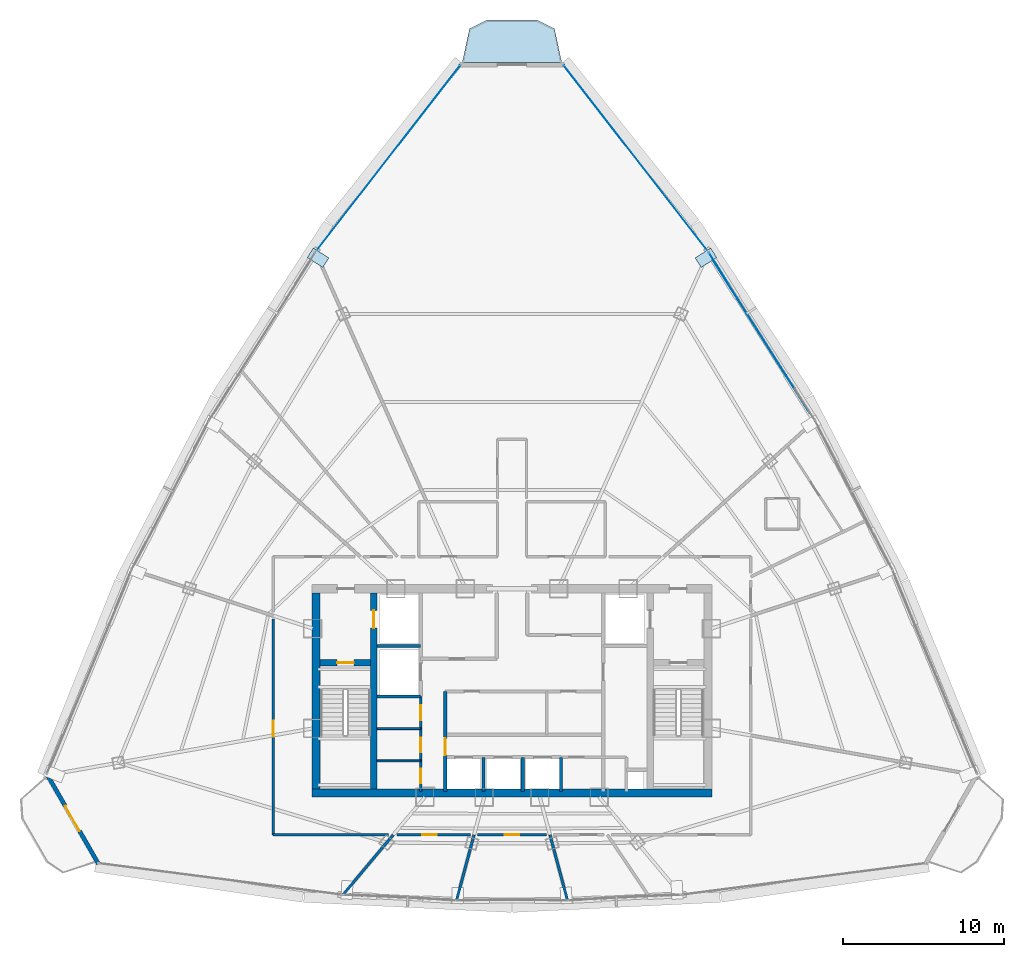
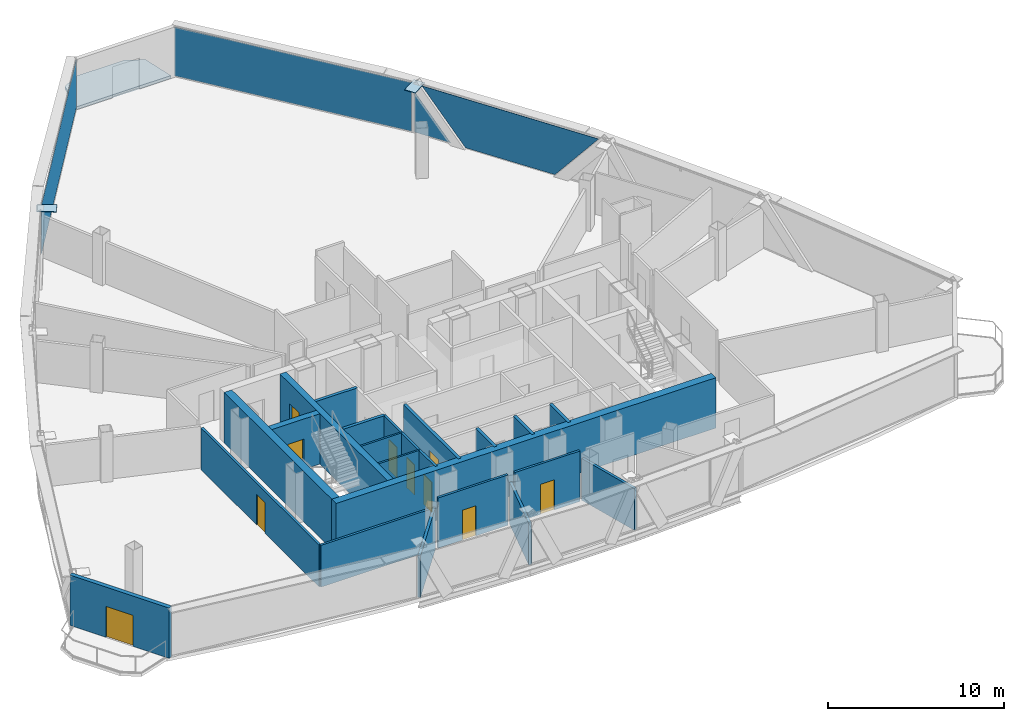
# One storey, part 28 of 34: 21 walls, 10 doors, 6 plates, 1 slab, 10 openings, 3 elements without a shape of their own.
"""IFC4 building model written with IfcOpenShell, lengths in metres."""

from ifc_helpers import new_model, si_unit, direction, frame, frame_2d, origin, origin_with_axes, origin_2d, place, context, subcontext, project, spatial, polyline, rectangle, outline, extrude, source, transform, mapped, material, layer, layer_set, type_object, element, fill, aggregate, save


model = new_model("IFC4")

# Units and contexts
model_context = context("Model", 3, precision=1e-05, world=origin(), true_north=direction((0.0, 1.0)))
body_context = subcontext(model_context, "Body", "Model", "MODEL_VIEW")
ifc_project = project(units=[si_unit("LENGTHUNIT", "METRE"), si_unit("AREAUNIT", "SQUARE_METRE"), si_unit("VOLUMEUNIT", "CUBIC_METRE"), si_unit("PLANEANGLEUNIT", "RADIAN"), si_unit("MASSUNIT", "GRAM", prefix="KILO"), si_unit("THERMODYNAMICTEMPERATUREUNIT", "KELVIN"), si_unit("POWERUNIT", "WATT")], contexts=[model_context])

# Site, building, storey
site_placement = place(None, origin())
site = spatial("IfcSite", under=ifc_project, at=site_placement, CompositionType="ELEMENT")
building_placement = place(site_placement, origin())
building = spatial("IfcBuilding", under=site, at=building_placement, Name="Yunzhuo Pagoda Commons", CompositionType="ELEMENT")
storey_placement = place(building_placement, frame((0.0, 0.0, 333.010009765625)))
storey = spatial("IfcBuildingStorey", under=building, at=storey_placement, Name="L83", CompositionType="ELEMENT", Elevation=333.010009765625)

# Curtain wall, plates
ifc_material_1 = material(Name="Anodized aluminium 6063-T6", Category="aluminium")
ifc_layer_1 = layer(ifc_material_1, 0.139892578125)
ifc_layer_set_1 = layer_set([ifc_layer_1], Name="Anodized aluminium 6063-T6")
curtain_wall_type = type_object("IfcCurtainWallType", Name="CW-HI High-Zone Ribbon Curtain Wall", PredefinedType="NOTDEFINED", material=ifc_layer_set_1)
curtain_wall_1_placement = place(storey_placement, origin())
curtain_wall_1 = element("IfcCurtainWall", 1, at=curtain_wall_1_placement, inside=storey, type_object=curtain_wall_type, Name="L83 curtain wall CW-L83-F2B4", PredefinedType="NOTDEFINED")
ifc_material_2 = material(Name="Tempered low-e double glazing", Category="glass")
ifc_layer_2 = layer(ifc_material_2, 0.02587890625)
ifc_layer_set_2 = layer_set([ifc_layer_2], Name="Tempered low-e double glazing")
plate_type_1 = type_object("IfcPlateType", Name="CW-HI-P Low-E Double Glazing 26", PredefinedType="CURTAIN_PANEL", material=ifc_layer_set_2)
plate_1_placement = place(storey_placement, frame((63.49365234375, 55.88134765625, 1.744873046875), z_axis=(0.845148830397, 0.534531060349, 0.0), x_axis=(-0.534531060349, 0.845148830397, 0.0)))
plate_1 = element("IfcPlate", 2, at=plate_1_placement, type_object=plate_type_1, Name="CW panel 1.1 lite 2", PredefinedType="CURTAIN_PANEL", context=body_context, shape_type="SweptSolid", body=[
    extrude(outline(polyline([(-5.6591796875, 1.68994140625), (-2.8662109375, -1.68994140625), (2.8662109375, -1.68994140625), (5.6591796875, 1.68994140625), (-5.6591796875, 1.68994140625)])), origin(), (0.0, 0.0, 1.0), 0.028076171875),
])
plate_2_placement = place(storey_placement, frame((60.84912109375, 60.11865234375, 1.43798828125), z_axis=(0.845148830397, 0.534531060349, 0.0), x_axis=(-0.534531060349, 0.845148830397, 0.0)))
plate_2 = element("IfcPlate", 3, at=plate_2_placement, type_object=plate_type_1, Name="CW panel 1.1 lite 3", PredefinedType="CURTAIN_PANEL", context=body_context, shape_type="SweptSolid", body=[
    extrude(outline(polyline([(-1.142578125, -1.3828125), (1.142822265625, -1.3828125), (1.142822265625, 1.3828125), (-1.142578125, -1.3828125)])), origin(), (0.0, 0.0, 1.0), 0.028076171875),
])
aggregate(curtain_wall_1, [plate_1, plate_2])

# Slab
ifc_material_3 = material(Name="Concrete C40", Category="concrete")
ifc_layer_3 = layer(ifc_material_3, 0.199951171875)
ifc_layer_set_3 = layer_set([ifc_layer_3], Name="Concrete C40")
slab_type = type_object("IfcSlabType", Name="SL-BAL Vertex Balcony Deck Slab 200", PredefinedType="FLOOR", material=ifc_layer_set_3)
slab_placement = place(storey_placement, frame((0.0, 0.0, -0.199951171875)))
element("IfcSlab", 4, at=slab_placement, inside=storey, type_object=slab_type, Name="L83 corner balcony V3", PredefinedType="FLOOR", context=body_context, shape_type="SweptSolid", body=[
    extrude(outline(polyline([(51.093505859375, 72.918212890625), (44.906494140625, 72.918212890625), (45.3564453125, 75.01318359375), (46.453125, 75.563232421875), (49.546875, 75.563232421875), (50.6435546875, 75.01318359375), (51.093505859375, 72.918212890625)])), origin(), (0.0, 0.0, 1.0), 0.199951171875),
])

# Plates
ifc_material_4 = material(Name="Structural steel Q355B", Category="steel")
ifc_layer_4 = layer(ifc_material_4, 0.028076171875)
ifc_layer_set_4 = layer_set([ifc_layer_4], Name="Structural steel Q355B")
plate_type_2 = type_object("IfcPlateType", Name="SP-ND1 Lattice Node Cap Plate 800x500x28", PredefinedType="USERDEFINED", material=ifc_layer_set_4)
shared_shape_1 = source(origin(), body_context, "Body", "SweptSolid", [
    extrude(rectangle(XDim=0.699951171875, YDim=1.144287109375, at=origin_2d()), origin(), (0.0, 0.0, 1.0), 0.035888671875),
])
for number, where, z_axis, x_axis, name in (
    (5, (60.056640625, 60.77978515625, 3.4521484375), (0.0, 0.0, 1.0), (-0.534529368893, 0.84514990019, 0.0), "L83 setback lattice tie plate F2.3R"),
    (6, (35.943359375, 60.77978515625, 3.4521484375), (0.0, 0.0, 1.0), (-0.534529368893, -0.84514990019, 0.0), "L83 setback lattice tie plate F3.1L"),
):
    element("IfcPlate", number, at=place(storey_placement, frame(where, z_axis=z_axis, x_axis=x_axis)), inside=storey, type_object=plate_type_2, Name=name, ObjectType="STIFFENER_PLATE", PredefinedType="USERDEFINED", context=body_context, shape_type="MappedRepresentation", body=[
        mapped(shared_shape_1, transform((0.0, 0.0, 0.0), scale=1.0)),
    ])

# Curtain wall, plate
curtain_wall_2_placement = place(storey_placement, origin())
curtain_wall_2 = element("IfcCurtainWall", 7, at=curtain_wall_2_placement, inside=storey, type_object=curtain_wall_type, Name="L83 curtain wall CW-L83-F2B5", PredefinedType="NOTDEFINED")
shared_shape_2 = source(origin(), body_context, "Body", "SweptSolid", [
    extrude(rectangle(XDim=14.537353515625, YDim=0.028076171875, at=origin_2d()), origin(), (0.0, 0.0, 1.0), 3.3798828125),
])
plate_3_placement = place(storey_placement, frame((55.680419921875, 66.99267578125, 0.054931640625), z_axis=(0.0, 0.0, 1.0), x_axis=(-0.612917502921, 0.790146906982, 0.0)))
plate_3 = element("IfcPlate", 8, at=plate_3_placement, type_object=plate_type_1, Name="CW panel 1.1", PredefinedType="CURTAIN_PANEL", context=body_context, shape_type="MappedRepresentation", body=[
    mapped(shared_shape_2, transform((0.0, 0.0, 0.0), scale=1.0)),
])
aggregate(curtain_wall_2, [plate_3])

curtain_wall_3_placement = place(storey_placement, origin())
curtain_wall_3 = element("IfcCurtainWall", 9, at=curtain_wall_3_placement, inside=storey, type_object=curtain_wall_type, Name="L83 curtain wall CW-L83-F3B1", PredefinedType="NOTDEFINED")
plate_4_placement = place(storey_placement, frame((40.319580078125, 66.99267578125, 0.054931640625), z_axis=(0.0, 0.0, 1.0), x_axis=(-0.612917502921, -0.790146906982, 0.0)))
plate_4 = element("IfcPlate", 10, at=plate_4_placement, type_object=plate_type_1, Name="CW panel 1.1", PredefinedType="CURTAIN_PANEL", context=body_context, shape_type="MappedRepresentation", body=[
    mapped(shared_shape_2, transform((0.0, 0.0, 0.0), scale=1.0)),
])
aggregate(curtain_wall_3, [plate_4])

# Wall, opening, door
ifc_material_5 = material(Name="Precast concrete C40", Category="concrete")
ifc_layer_5 = layer(ifc_material_5, 0.260009765625)
ifc_layer_set_5 = layer_set([ifc_layer_5], Name="Precast concrete C40")
wall_type_1 = type_object("IfcWallType", Name="W-BAL1 Corner Balcony Threshold Wall 260", PredefinedType="STANDARD", material=ifc_layer_set_5)
wall_1_placement = place(storey_placement, frame((19.044677734375, 28.739013671875, 0.0), z_axis=(0.0, 0.0, 1.0), x_axis=(0.49793434898, -0.867214727796, 0.0)))
wall_1 = element("IfcWall", 11, at=wall_1_placement, inside=storey, type_object=wall_type_1, Name="L83 corner balcony wall V1", PredefinedType="STANDARD", context=body_context, shape_type="SweptSolid", body=[
    extrude(rectangle(XDim=6.5126953125, YDim=0.260009765625, at=frame_2d((3.25634765625, 0.0))), origin(), (0.0, 0.0, 1.0), 3.489990234375),
])
opening_1_placement = place(wall_1_placement, frame((2.3564453125, 0.0, 0.0)))
opening_1 = element("IfcOpeningElement", 12, at=opening_1_placement, cuts=wall_1, Name="Opening D-BAL1", PredefinedType="OPENING", context=body_context, shape_type="SweptSolid", body=[
    extrude(rectangle(XDim=1.800048828125, YDim=2.14990234375, at=frame_2d((0.89990234375, 1.074951171875))), frame((0.0, 0.14013671875, 0.0), z_axis=(0.0, -1.0, 0.0), x_axis=(1.0, 0.0, 0.0)), (0.0, 0.0, 1.0), 0.280029296875),
])
ifc_material_6 = material(Name="Anodized aluminium frame and tempered glazed leaf", Category="aluminium")
door_type_1 = type_object("IfcDoorType", Name="D-BAL1 Corner Balcony Sliding Glazed Door 1800x2150", OperationType="DOUBLE_DOOR_SLIDING", PredefinedType="DOOR", material=ifc_material_6)
shared_shape_3 = source(origin(), body_context, "Body", "SweptSolid", [
    extrude(rectangle(XDim=1.800048828125, YDim=2.14990234375, at=frame_2d((0.89990234375, 1.074951171875))), frame((0.0, 0.02490234375, 0.0), z_axis=(0.0, -1.0, 0.0), x_axis=(1.0, 0.0, 0.0)), (0.0, 0.0, 1.0), 0.050048828125),
])
door_1_placement = place(opening_1_placement, origin_with_axes())
door_1 = element("IfcDoor", 13, at=door_1_placement, inside=storey, type_object=door_type_1, Name="L83 corner balcony sliding door V1", OperationType="DOUBLE_DOOR_SLIDING", OverallHeight=2.14990234375, OverallWidth=1.800048828125, PredefinedType="DOOR", context=body_context, shape_type="MappedRepresentation", body=[
    mapped(shared_shape_3, transform((0.0, 0.0, 0.0), scale=1.0)),
])
fill(opening_1, door_1)

# Walls
ifc_material_7 = material(Name="Concrete C50", Category="concrete")
ifc_layer_6 = layer(ifc_material_7, 0.5)
ifc_layer_set_6 = layer_set([ifc_layer_6], Name="Concrete C50")
wall_type_2 = type_object("IfcWallType", Name="W-C03 Upper Core Shear Wall 500", PredefinedType="SHEAR", material=ifc_layer_set_6)
wall_2_placement = place(storey_placement, frame((35.550048828125, 27.5, 0.0), z_axis=(0.0, 0.0, 1.0), x_axis=(1.0, 0.0, 0.0)))
element("IfcWall", 14, at=wall_2_placement, inside=storey, type_object=wall_type_2, Name="L83 core shear wall S", PredefinedType="SHEAR", context=body_context, shape_type="SweptSolid", body=[
    extrude(rectangle(XDim=24.89990234375, YDim=0.5, at=frame_2d((12.449951171875, 0.0))), origin(), (0.0, 0.0, 1.0), 3.489990234375),
])
wall_3_placement = place(storey_placement, frame((35.800048828125, 27.75, 0.0), z_axis=(0.0, 0.0, 1.0), x_axis=(0.0, 1.0, 0.0)))
element("IfcWall", 15, at=wall_3_placement, inside=storey, type_object=wall_type_2, Name="L83 core shear wall W", PredefinedType="SHEAR", context=body_context, shape_type="SweptSolid", body=[
    extrude(rectangle(XDim=12.199951171875, YDim=0.5, at=frame_2d((6.10009765625, 0.0))), origin(), (0.0, 0.0, 1.0), 3.489990234375),
])

# Wall, openings, doors
ifc_material_8 = material(Name="Gypsum plasterboard on acoustic stud")
ifc_layer_7 = layer(ifc_material_8, 0.14990234375)
ifc_layer_set_7 = layer_set([ifc_layer_7], Name="Gypsum plasterboard on acoustic stud")
wall_type_3 = type_object("IfcWallType", Name="W-COR3 High-Zone Rated Corridor Wall 150", PredefinedType="PARTITIONING", material=ifc_layer_set_7)
wall_4_placement = place(storey_placement, frame((42.320068359375, 27.60009765625, 0.0), z_axis=(0.0, 0.0, 1.0), x_axis=(0.0, 1.0, 0.0)))
wall_4 = element("IfcWall", 16, at=wall_4_placement, inside=storey, type_object=wall_type_3, Name="L83 interior wall IW-L83-CSWE", PredefinedType="PARTITIONING", context=body_context, shape_type="SweptSolid", body=[
    extrude(rectangle(XDim=5.89990234375, YDim=0.14990234375, at=frame_2d((2.949951171875, 0.0))), origin(), (0.0, 0.0, 1.0), 3.489990234375),
])
opening_2_placement = place(wall_4_placement, frame((0.5, 0.0, 0.0)))
opening_2 = element("IfcOpeningElement", 17, at=opening_2_placement, cuts=wall_4, Name="Opening D-03", PredefinedType="OPENING", context=body_context, shape_type="SweptSolid", body=[
    extrude(rectangle(XDim=0.89990234375, YDim=2.10009765625, at=frame_2d((0.449951171875, 1.050048828125))), frame((0.0, 0.0849609375, 0.0), z_axis=(0.0, -1.0, 0.0), x_axis=(1.0, 0.0, 0.0)), (0.0, 0.0, 1.0), 0.169921875),
])
opening_3_placement = place(wall_4_placement, frame((2.449951171875, 0.0, 0.0)))
opening_3 = element("IfcOpeningElement", 18, at=opening_3_placement, cuts=wall_4, Name="Opening D-03", PredefinedType="OPENING", context=body_context, shape_type="SweptSolid", body=[
    extrude(rectangle(XDim=0.89990234375, YDim=2.10009765625, at=frame_2d((0.449951171875, 1.050048828125))), frame((0.0, 0.0849609375, 0.0), z_axis=(0.0, -1.0, 0.0), x_axis=(1.0, 0.0, 0.0)), (0.0, 0.0, 1.0), 0.169921875),
])
opening_4_placement = place(wall_4_placement, frame((4.419921875, 0.0, 0.0)))
opening_4 = element("IfcOpeningElement", 19, at=opening_4_placement, cuts=wall_4, Name="Opening D-11", PredefinedType="OPENING", context=body_context, shape_type="SweptSolid", body=[
    extrude(rectangle(XDim=0.93994140625, YDim=2.10009765625, at=frame_2d((0.469970703125, 1.050048828125))), frame((0.0, 0.0849609375, 0.0), z_axis=(0.0, -1.0, 0.0), x_axis=(1.0, 0.0, 0.0)), (0.0, 0.0, 1.0), 0.169921875),
])
ifc_material_9 = material(Name="Galvanized fire-resisting metal leaf")
door_type_2 = type_object("IfcDoorType", Name="D-03 Core Service Fire Door 900x2100", OperationType="NOTDEFINED", PredefinedType="DOOR", material=ifc_material_9)
shared_shape_4 = source(origin(), body_context, "Body", "SweptSolid", [
    extrude(rectangle(XDim=0.89990234375, YDim=2.10009765625, at=frame_2d((0.449951171875, 1.050048828125))), frame((0.0, 0.02490234375, 0.0), z_axis=(0.0, -1.0, 0.0), x_axis=(1.0, 0.0, 0.0)), (0.0, 0.0, 1.0), 0.050048828125),
])
door_2_placement = place(opening_2_placement, origin_with_axes())
door_2 = element("IfcDoor", 20, at=door_2_placement, inside=storey, type_object=door_type_2, Name="L83 switch door", OperationType="SINGLE_SWING_RIGHT", OverallHeight=2.10009765625, OverallWidth=0.89990234375, PredefinedType="DOOR", context=body_context, shape_type="MappedRepresentation", body=[
    mapped(shared_shape_4, transform((0.0, 0.0, 0.0), scale=1.0)),
])
fill(opening_2, door_2)
door_3_placement = place(opening_3_placement, origin_with_axes())
door_3 = element("IfcDoor", 21, at=door_3_placement, inside=storey, type_object=door_type_2, Name="L83 cleaner door", OperationType="SINGLE_SWING_RIGHT", OverallHeight=2.10009765625, OverallWidth=0.89990234375, PredefinedType="DOOR", context=body_context, shape_type="MappedRepresentation", body=[
    mapped(shared_shape_4, transform((0.0, 0.0, 0.0), scale=1.0)),
])
fill(opening_3, door_3)
door_type_3 = type_object("IfcDoorType", Name="D-11 Accessible Washroom Fire Door 940x2100", OperationType="NOTDEFINED", PredefinedType="DOOR", material=ifc_material_9)
shared_shape_5 = source(origin(), body_context, "Body", "SweptSolid", [
    extrude(rectangle(XDim=0.93994140625, YDim=2.10009765625, at=frame_2d((0.469970703125, 1.050048828125))), frame((0.0, 0.02490234375, 0.0), z_axis=(0.0, -1.0, 0.0), x_axis=(1.0, 0.0, 0.0)), (0.0, 0.0, 1.0), 0.050048828125),
])
door_4_placement = place(opening_4_placement, origin_with_axes())
door_4 = element("IfcDoor", 22, at=door_4_placement, inside=storey, type_object=door_type_3, Name="L83 core WC door", OperationType="SINGLE_SWING_LEFT", OverallHeight=2.10009765625, OverallWidth=0.93994140625, PredefinedType="DOOR", context=body_context, shape_type="MappedRepresentation", body=[
    mapped(shared_shape_5, transform((0.0, 0.0, 0.0), scale=1.0)),
])
fill(opening_4, door_4)

# Wall, opening, door
wall_5_placement = place(storey_placement, frame((33.14990234375, 24.89990234375, 0.0), z_axis=(0.0, 0.0, 1.0), x_axis=(0.0, 1.0, 0.0)))
wall_5 = element("IfcWall", 23, at=wall_5_placement, inside=storey, type_object=wall_type_3, Name="L83 interior wall IW-L83-CWL01", PredefinedType="PARTITIONING", context=body_context, shape_type="SweptSolid", body=[
    extrude(rectangle(XDim=13.405517578125, YDim=0.14990234375, at=frame_2d((6.70263671875, 0.0))), origin(), (0.0, 0.0, 1.0), 2.889892578125),
])
opening_5_placement = place(wall_5_placement, frame((6.107666015625, 0.0, 0.0)))
opening_5 = element("IfcOpeningElement", 24, at=opening_5_placement, cuts=wall_5, Name="Opening D-08", PredefinedType="OPENING", context=body_context, shape_type="SweptSolid", body=[
    extrude(rectangle(XDim=0.97998046875, YDim=2.1201171875, at=frame_2d((0.489990234375, 1.06005859375))), frame((0.0, 0.0849609375, 0.0), z_axis=(0.0, -1.0, 0.0), x_axis=(1.0, 0.0, 0.0)), (0.0, 0.0, 1.0), 0.169921875),
])
door_type_4 = type_object("IfcDoorType", Name="D-08 High-Zone Suite Entrance Fire Door 980x2120", OperationType="NOTDEFINED", PredefinedType="DOOR", material=ifc_material_9)
shared_shape_6 = source(origin(), body_context, "Body", "SweptSolid", [
    extrude(rectangle(XDim=0.97998046875, YDim=2.1201171875, at=frame_2d((0.489990234375, 1.06005859375))), frame((0.0, 0.02490234375, 0.0), z_axis=(0.0, -1.0, 0.0), x_axis=(1.0, 0.0, 0.0)), (0.0, 0.0, 1.0), 0.050048828125),
])
door_5_placement = place(opening_5_placement, origin_with_axes())
door_5 = element("IfcDoor", 25, at=door_5_placement, inside=storey, type_object=door_type_4, Name="L83 Resident Co-Living Commons Hall door", OperationType="SINGLE_SWING_RIGHT", OverallHeight=2.1201171875, OverallWidth=0.97998046875, PredefinedType="DOOR", context=body_context, shape_type="MappedRepresentation", body=[
    mapped(shared_shape_6, transform((0.0, 0.0, 0.0), scale=1.0)),
])
fill(opening_5, door_5)

wall_6_placement = place(storey_placement, frame((50.13818359375, 24.89990234375, 0.0), z_axis=(0.0, 0.0, 1.0), x_axis=(-1.0, 0.0, 0.0)))
wall_6 = element("IfcWall", 26, at=wall_6_placement, inside=storey, type_object=wall_type_3, Name="L83 interior wall IW-L83-CWL17", PredefinedType="PARTITIONING", context=body_context, shape_type="SweptSolid", body=[
    extrude(rectangle(XDim=4.2763671875, YDim=0.14990234375, at=frame_2d((2.13818359375, 0.0))), origin(), (0.0, 0.0, 1.0), 3.489990234375),
])
opening_6_placement = place(wall_6_placement, frame((1.67822265625, 0.0, 0.0)))
opening_6 = element("IfcOpeningElement", 27, at=opening_6_placement, cuts=wall_6, Name="Opening D-12", PredefinedType="OPENING", context=body_context, shape_type="SweptSolid", body=[
    extrude(rectangle(XDim=0.89990234375, YDim=2.080078125, at=frame_2d((0.449951171875, 1.0400390625))), frame((0.0, 0.0849609375, 0.0), z_axis=(0.0, -1.0, 0.0), x_axis=(1.0, 0.0, 0.0)), (0.0, 0.0, 1.0), 0.169921875),
])
ifc_material_10 = material(Name="Powder-coated aluminium and timber acoustic leaf", Category="wood")
door_type_5 = type_object("IfcDoorType", Name="D-12 Quiet Study Interior Door 900x2080", OperationType="NOTDEFINED", PredefinedType="DOOR", material=ifc_material_10)
shared_shape_7 = source(origin(), body_context, "Body", "SweptSolid", [
    extrude(rectangle(XDim=0.89990234375, YDim=2.080078125, at=frame_2d((0.449951171875, 1.0400390625))), frame((0.0, 0.02490234375, 0.0), z_axis=(0.0, -1.0, 0.0), x_axis=(1.0, 0.0, 0.0)), (0.0, 0.0, 1.0), 0.050048828125),
])
door_6_placement = place(opening_6_placement, origin_with_axes())
door_6 = element("IfcDoor", 28, at=door_6_placement, inside=storey, type_object=door_type_5, Name="L83 study lounge 10 door", OperationType="SINGLE_SWING_RIGHT", OverallHeight=2.080078125, OverallWidth=0.89990234375, PredefinedType="DOOR", context=body_context, shape_type="MappedRepresentation", body=[
    mapped(shared_shape_7, transform((0.0, 0.0, 0.0), scale=1.0)),
])
fill(opening_6, door_6)

wall_7_placement = place(storey_placement, frame((45.414306640625, 24.89990234375, 0.0), z_axis=(0.0, 0.0, 1.0), x_axis=(-1.0, 0.0, 0.0)))
wall_7 = element("IfcWall", 29, at=wall_7_placement, inside=storey, type_object=wall_type_3, Name="L83 interior wall IW-L83-CWL18", PredefinedType="PARTITIONING", context=body_context, shape_type="SweptSolid", body=[
    extrude(rectangle(XDim=4.57861328125, YDim=0.14990234375, at=frame_2d((2.289306640625, 0.0))), origin(), (0.0, 0.0, 1.0), 3.489990234375),
])
opening_7_placement = place(wall_7_placement, frame((2.09326171875, 0.0, 0.0)))
opening_7 = element("IfcOpeningElement", 30, at=opening_7_placement, cuts=wall_7, Name="Opening D-12", PredefinedType="OPENING", context=body_context, shape_type="SweptSolid", body=[
    extrude(rectangle(XDim=0.89990234375, YDim=2.080078125, at=frame_2d((0.449951171875, 1.0400390625))), frame((0.0, 0.0849609375, 0.0), z_axis=(0.0, -1.0, 0.0), x_axis=(1.0, 0.0, 0.0)), (0.0, 0.0, 1.0), 0.169921875),
])
door_7_placement = place(opening_7_placement, origin_with_axes())
door_7 = element("IfcDoor", 31, at=door_7_placement, inside=storey, type_object=door_type_5, Name="L83 study lounge 09 door", OperationType="SINGLE_SWING_LEFT", OverallHeight=2.080078125, OverallWidth=0.89990234375, PredefinedType="DOOR", context=body_context, shape_type="MappedRepresentation", body=[
    mapped(shared_shape_7, transform((0.0, 0.0, 0.0), scale=1.0)),
])
fill(opening_7, door_7)

# Walls
wall_8_placement = place(storey_placement, frame((40.32861328125, 24.89990234375, 0.0), z_axis=(0.0, 0.0, 1.0), x_axis=(-1.0, 0.0, 0.0)))
element("IfcWall", 32, at=wall_8_placement, inside=storey, type_object=wall_type_3, Name="L83 interior wall IW-L83-CWL19", PredefinedType="PARTITIONING", context=body_context, shape_type="SweptSolid", body=[
    extrude(rectangle(XDim=7.1787109375, YDim=0.14990234375, at=frame_2d((3.58935546875, 0.0))), origin(), (0.0, 0.0, 1.0), 2.889892578125),
])
ifc_layer_8 = layer(ifc_material_8, 0.1201171875)
ifc_layer_set_8 = layer_set([ifc_layer_8], Name="Gypsum plasterboard on acoustic stud")
wall_type_4 = type_object("IfcWallType", Name="W-PRT1 Suite & Bathroom Partition 120", PredefinedType="PARTITIONING", material=ifc_layer_set_8)
for number, where, z_axis, x_axis, name in (
    (33, (39.60009765625, 29.5, 0.0), (0.0, 0.0, 1.0), (1.0, 0.0, 0.0), "L83 interior wall IW-L83-CC1"),
    (34, (39.60009765625, 31.5, 0.0), (0.0, 0.0, 1.0), (1.0, 0.0, 0.0), "L83 interior wall IW-L83-CC2"),
):
    element("IfcWall", number, at=place(storey_placement, frame(where, z_axis=z_axis, x_axis=x_axis)), inside=storey, type_object=wall_type_4, Name=name, PredefinedType="PARTITIONING", context=body_context, shape_type="SweptSolid", body=[
        extrude(rectangle(XDim=2.719970703125, YDim=0.1201171875, at=frame_2d((1.35986328125, 0.0))), origin(), (0.0, 0.0, 1.0), 3.489990234375),
    ])
ifc_layer_9 = layer(ifc_material_8, 0.169921875)
ifc_layer_set_9 = layer_set([ifc_layer_9], Name="Gypsum plasterboard on acoustic stud")
wall_type_5 = type_object("IfcWallType", Name="W-PRT4 High-Zone Demising Wall 170", PredefinedType="PARTITIONING", material=ifc_layer_set_9)
wall_9_placement = place(storey_placement, frame((40.615966796875, 24.89990234375, 0.0), z_axis=(0.0, 0.0, 1.0), x_axis=(-0.642804014728, -0.766030677355, 0.0)))
element("IfcWall", 35, at=wall_9_placement, inside=storey, type_object=wall_type_5, Name="L83 interior wall IW-L83-RAD08", PredefinedType="PARTITIONING", context=body_context, shape_type="SweptSolid", body=[
    extrude(rectangle(XDim=4.869873046875, YDim=0.169921875, at=frame_2d((2.43505859375, 0.0))), origin(), (0.0, 0.0, 1.0), 2.889892578125),
])
for number, where, z_axis, x_axis, name in (
    (36, (45.64208984375, 24.89990234375, 0.0), (0.0, 0.0, 1.0), (-0.258809221612, -0.965928458432, 0.0), "L83 interior wall IW-L83-RAD09"),
    (37, (50.35791015625, 24.89990234375, 0.0), (0.0, 0.0, 1.0), (0.258809221612, -0.965928458432, 0.0), "L83 interior wall IW-L83-RAD10"),
):
    element("IfcWall", number, at=place(storey_placement, frame(where, z_axis=z_axis, x_axis=x_axis)), inside=storey, type_object=wall_type_5, Name=name, PredefinedType="PARTITIONING", context=body_context, shape_type="SweptSolid", body=[
        extrude(rectangle(XDim=4.22705078125, YDim=0.169921875, at=frame_2d((2.113525390625, 0.0))), origin(), (0.0, 0.0, 1.0), 2.889892578125),
    ])

# Wall, opening, door
ifc_material_11 = material(Name="Concrete C60", Category="concrete")
ifc_layer_10 = layer(ifc_material_11, 0.39990234375)
ifc_layer_set_10 = layer_set([ifc_layer_10], Name="Concrete C60")
wall_type_6 = type_object("IfcWallType", Name="W-S01 Internal Core Shear Web 400", PredefinedType="SHEAR", material=ifc_layer_set_10)
wall_10_placement = place(storey_placement, frame((39.39990234375, 27.75, 0.0), z_axis=(0.0, 0.0, 1.0), x_axis=(0.0, 1.0, 0.0)))
wall_10 = element("IfcWall", 38, at=wall_10_placement, inside=storey, type_object=wall_type_6, Name="L83 core shear wall WEBW", PredefinedType="SHEAR", context=body_context, shape_type="SweptSolid", body=[
    extrude(rectangle(XDim=12.199951171875, YDim=0.39990234375, at=frame_2d((6.10009765625, 0.0))), origin(), (0.0, 0.0, 1.0), 3.489990234375),
])
opening_8_placement = place(wall_10_placement, frame((10.0, 0.0, 0.0)))
opening_8 = element("IfcOpeningElement", 39, at=opening_8_placement, cuts=wall_10, Name="Opening LD-01", PredefinedType="OPENING", context=body_context, shape_type="SweptSolid", body=[
    extrude(rectangle(XDim=1.10009765625, YDim=2.10009765625, at=frame_2d((0.550048828125, 1.050048828125))), frame((0.0, 0.2099609375, 0.0), z_axis=(0.0, -1.0, 0.0), x_axis=(1.0, 0.0, 0.0)), (0.0, 0.0, 1.0), 0.419921875),
])
door_type_6 = type_object("IfcDoorType", Name="LD-01 Firefighting Lift Landing Door 1100x2100", OperationType="DOUBLE_DOOR_SLIDING", PredefinedType="DOOR", material=ifc_material_9)
shared_shape_8 = source(origin(), body_context, "Body", "SweptSolid", [
    extrude(rectangle(XDim=1.10009765625, YDim=2.10009765625, at=frame_2d((0.550048828125, 1.050048828125))), frame((0.0, 0.02490234375, 0.0), z_axis=(0.0, -1.0, 0.0), x_axis=(1.0, 0.0, 0.0)), (0.0, 0.0, 1.0), 0.050048828125),
])
door_8_placement = place(opening_8_placement, frame((1.10009765625, 0.0, 0.0), z_axis=(0.0, 0.0, 1.0), x_axis=(-1.0, 0.0, 0.0)))
door_8 = element("IfcDoor", 40, at=door_8_placement, inside=storey, type_object=door_type_6, Name="L83 Firefighting lift FL-1 landing door", OperationType="DOUBLE_DOOR_SLIDING", OverallHeight=2.10009765625, OverallWidth=1.10009765625, PredefinedType="DOOR", context=body_context, shape_type="MappedRepresentation", body=[
    mapped(shared_shape_8, transform((0.0, 0.0, 0.0), scale=1.0)),
])
fill(opening_8, door_8)

wall_11_placement = place(storey_placement, frame((36.050048828125, 35.60009765625, 0.0), z_axis=(0.0, 0.0, 1.0), x_axis=(1.0, 0.0, 0.0)))
wall_11 = element("IfcWall", 41, at=wall_11_placement, inside=storey, type_object=wall_type_6, Name="L83 core shear wall STW", PredefinedType="SHEAR", context=body_context, shape_type="SweptSolid", body=[
    extrude(rectangle(XDim=3.14990234375, YDim=0.39990234375, at=frame_2d((1.574951171875, 0.0))), origin(), (0.0, 0.0, 1.0), 3.489990234375),
])
opening_9_placement = place(wall_11_placement, frame((1.070068359375, 0.0, 0.0)))
opening_9 = element("IfcOpeningElement", 42, at=opening_9_placement, cuts=wall_11, Name="Opening D-01", PredefinedType="OPENING", context=body_context, shape_type="SweptSolid", body=[
    extrude(rectangle(XDim=1.050048828125, YDim=2.10009765625, at=frame_2d((0.52490234375, 1.050048828125))), frame((0.0, 0.2099609375, 0.0), z_axis=(0.0, -1.0, 0.0), x_axis=(1.0, 0.0, 0.0)), (0.0, 0.0, 1.0), 0.419921875),
])
door_type_7 = type_object("IfcDoorType", Name="D-01 Smokeproof Stair Fire Door 1050x2100", OperationType="NOTDEFINED", PredefinedType="DOOR", material=ifc_material_9)
shared_shape_9 = source(origin(), body_context, "Body", "SweptSolid", [
    extrude(rectangle(XDim=1.050048828125, YDim=2.10009765625, at=frame_2d((0.52490234375, 1.050048828125))), frame((0.0, 0.02490234375, 0.0), z_axis=(0.0, -1.0, 0.0), x_axis=(1.0, 0.0, 0.0)), (0.0, 0.0, 1.0), 0.050048828125),
])
door_9_placement = place(opening_9_placement, frame((1.050048828125, 0.0, 0.0), z_axis=(0.0, 0.0, 1.0), x_axis=(-1.0, 0.0, 0.0)))
door_9 = element("IfcDoor", 43, at=door_9_placement, inside=storey, type_object=door_type_7, Name="L83 Stair ST1 fire door", OperationType="SINGLE_SWING_LEFT", OverallHeight=2.10009765625, OverallWidth=1.050048828125, PredefinedType="DOOR", context=body_context, shape_type="MappedRepresentation", body=[
    mapped(shared_shape_9, transform((0.0, 0.0, 0.0), scale=1.0)),
])
fill(opening_9, door_9)

# Walls
ifc_layer_11 = layer(ifc_material_3, 0.199951171875)
ifc_layer_set_11 = layer_set([ifc_layer_11], Name="Concrete C40")
wall_type_7 = type_object("IfcWallType", Name="W-SHF Shaft & Stair Enclosure Wall 200", PredefinedType="SOLIDWALL", material=ifc_layer_set_11)
for number, where, z_axis, x_axis, name in (
    (44, (39.60009765625, 36.64990234375, 0.0), (0.0, 0.0, 1.0), (1.0, 0.0, 0.0), "L83 interior wall IW-L83-FL1S"),
    (45, (39.60009765625, 33.5, 0.0), (0.0, 0.0, 1.0), (1.0, 0.0, 0.0), "L83 interior wall IW-L83-SL1S"),
):
    element("IfcWall", number, at=place(storey_placement, frame(where, z_axis=z_axis, x_axis=x_axis)), inside=storey, type_object=wall_type_7, Name=name, PredefinedType="SOLIDWALL", context=body_context, shape_type="SweptSolid", body=[
        extrude(rectangle(XDim=2.719970703125, YDim=0.199951171875, at=frame_2d((1.35986328125, 0.0))), origin(), (0.0, 0.0, 1.0), 3.489990234375),
    ])

# Wall, opening, door
wall_12_placement = place(storey_placement, frame((43.85009765625, 27.60009765625, 0.0), z_axis=(0.0, 0.0, 1.0), x_axis=(0.0, 1.0, 0.0)))
wall_12 = element("IfcWall", 46, at=wall_12_placement, inside=storey, type_object=wall_type_7, Name="L83 interior wall IW-L83-PLMW", PredefinedType="SOLIDWALL", context=body_context, shape_type="SweptSolid", body=[
    extrude(rectangle(XDim=6.219970703125, YDim=0.199951171875, at=frame_2d((3.10986328125, 0.0))), origin(), (0.0, 0.0, 1.0), 3.489990234375),
])
opening_10_placement = place(wall_12_placement, frame((2.25, 0.0, 0.0)))
opening_10 = element("IfcOpeningElement", 47, at=opening_10_placement, cuts=wall_12, Name="Opening D-02", PredefinedType="OPENING", context=body_context, shape_type="SweptSolid", body=[
    extrude(rectangle(XDim=1.050048828125, YDim=2.10009765625, at=frame_2d((0.52490234375, 1.050048828125))), frame((0.0, 0.10986328125, 0.0), z_axis=(0.0, -1.0, 0.0), x_axis=(1.0, 0.0, 0.0)), (0.0, 0.0, 1.0), 0.219970703125),
])
door_type_8 = type_object("IfcDoorType", Name="D-02 Firefighting Lobby & Refuge Fire Door 1050x2100", OperationType="NOTDEFINED", PredefinedType="DOOR", material=ifc_material_9)
door_10_placement = place(opening_10_placement, frame((1.050048828125, 0.0, 0.0), z_axis=(0.0, 0.0, 1.0), x_axis=(-1.0, 0.0, 0.0)))
door_10 = element("IfcDoor", 48, at=door_10_placement, inside=storey, type_object=door_type_8, Name="L83 High-bank hall west door", OperationType="SINGLE_SWING_LEFT", OverallHeight=2.10009765625, OverallWidth=1.050048828125, PredefinedType="DOOR", context=body_context, shape_type="MappedRepresentation", body=[
    mapped(shared_shape_9, transform((0.0, 0.0, 0.0), scale=1.0)),
])
fill(opening_10, door_10)

# Walls
for number, where, z_axis, x_axis, name in (
    (49, (51.050048828125, 27.60009765625, 0.0), (0.0, 0.0, 1.0), (0.0, 1.0, 0.0), "L83 interior wall IW-L83-PLHE"),
    (50, (46.22509765625, 27.60009765625, 0.0), (0.0, 0.0, 1.0), (0.0, 1.0, 0.0), "L83 interior wall IW-L83-PLHD1"),
    (51, (48.675048828125, 27.60009765625, 0.0), (0.0, 0.0, 1.0), (0.0, 1.0, 0.0), "L83 interior wall IW-L83-PLHD2"),
):
    element("IfcWall", number, at=place(storey_placement, frame(where, z_axis=z_axis, x_axis=x_axis)), inside=storey, type_object=wall_type_7, Name=name, PredefinedType="SOLIDWALL", context=body_context, shape_type="SweptSolid", body=[
        extrude(rectangle(XDim=2.119873046875, YDim=0.199951171875, at=frame_2d((1.06005859375, 0.0))), origin(), (0.0, 0.0, 1.0), 3.489990234375),
    ])

save(model, "model.ifc")
